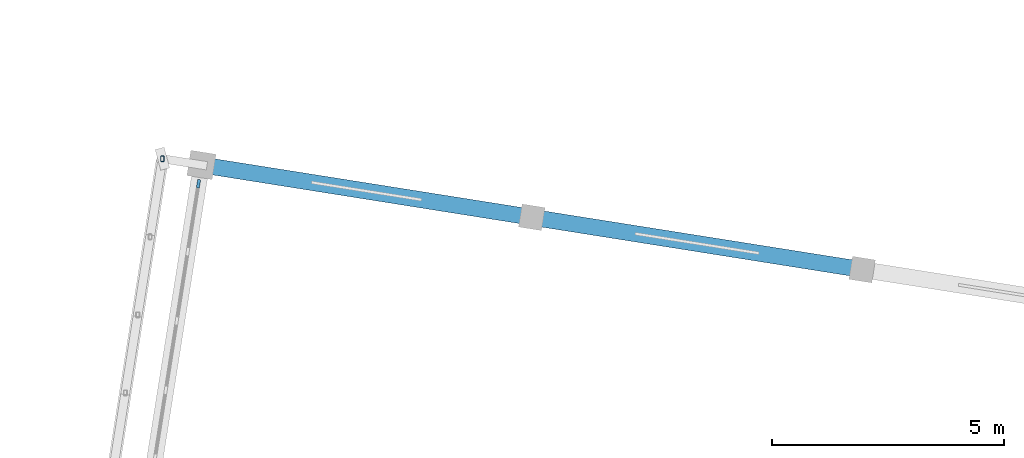
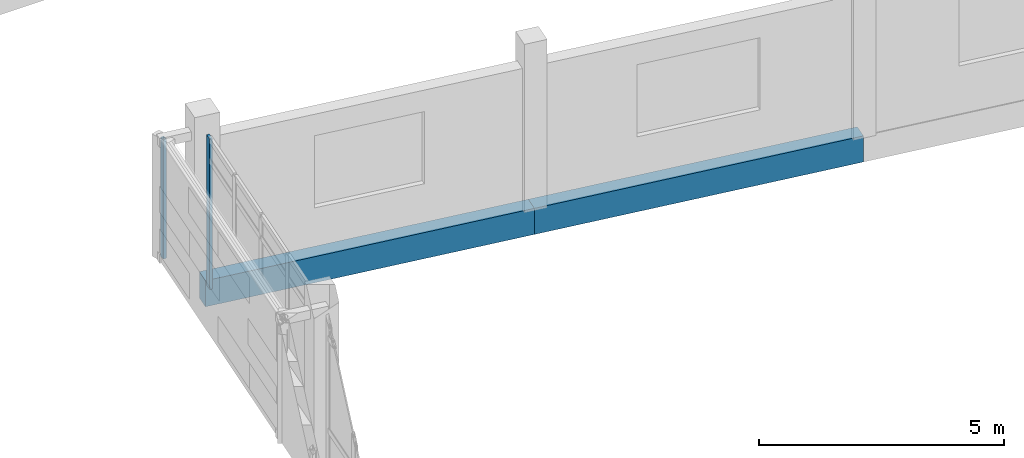
# One storey, part 60 of 137: 2 beams, 2 members, 1 element without a shape of its own.
"""IFC4 building model written with IfcOpenShell, lengths in metres."""

from ifc_helpers import new_model, si_unit, direction, frame, origin, origin_2d, place, context, subcontext, project, spatial, rectangle, hollow_rectangle, extrude, material, material_profile, profile_set, type_object, element, aggregate, save


model = new_model("IFC4")

# Units and contexts
model_context = context("Model", 3, precision=1e-05, world=origin(), true_north=direction((0.0, 1.0)))
body_context = subcontext(model_context, "Body", "Model", "MODEL_VIEW")
ifc_project = project(units=[si_unit("LENGTHUNIT", "METRE"), si_unit("AREAUNIT", "SQUARE_METRE"), si_unit("VOLUMEUNIT", "CUBIC_METRE"), si_unit("PLANEANGLEUNIT", "RADIAN"), si_unit("MASSUNIT", "GRAM", prefix="KILO")], contexts=[model_context])

# Site, building, storey
site_placement = place(None, origin())
site = spatial("IfcSite", under=ifc_project, at=site_placement, CompositionType="ELEMENT")
building_placement = place(site_placement, origin())
building = spatial("IfcBuilding", under=site, at=building_placement, Name="Cinderway Yard Community Centre", CompositionType="ELEMENT")
storey_placement = place(building_placement, frame((0.0, 0.0, 4.800048828125)))
storey = spatial("IfcBuildingStorey", under=building, at=storey_placement, Name="L01", CompositionType="ELEMENT", Elevation=4.800048828125)

# Curtain wall, member
ifc_material_1 = material(Name="Aluminium 6063-T6", Category="aluminium")
curtain_wall_type = type_object("IfcCurtainWallType", Name="ENV-CW-TYPE-14", PredefinedType="USERDEFINED", material=ifc_material_1)
curtain_wall_placement = place(storey_placement, origin())
curtain_wall = element("IfcCurtainWall", 1, at=curtain_wall_placement, inside=storey, type_object=curtain_wall_type, Name="Sports Hall Courtyard Curtain Wall ENV-CW-L01-HS-0056", ObjectType="GLAZED CURTAIN WALL", PredefinedType="USERDEFINED")
ifc_material_profile_1 = material_profile(ifc_material_1, rectangle(XDim=0.06494140625, YDim=0.179931640625, at=origin_2d()), Name="Aluminium 6063-T6")
ifc_profile_set_1 = profile_set([ifc_material_profile_1], Name="Aluminium 6063-T6")
member_type_1 = type_object("IfcMemberType", Name="ENV-CW-MULL-180", PredefinedType="MULLION", material=ifc_profile_set_1)
member_1_placement = place(storey_placement, frame((124.3193359375, 77.893310546875, 0.0), z_axis=(0.0, 0.0, 1.0), x_axis=(-0.987664799809, 0.156583023401, 0.0)))
member_1 = element("IfcMember", 2, at=member_1_placement, type_object=member_type_1, Name="CW-14 mullion 5", PredefinedType="MULLION", context=body_context, shape_type="SweptSolid", body=[
    extrude(rectangle(XDim=0.06494140625, YDim=0.179931640625, at=origin_2d()), origin(), (0.0, 0.0, 1.0), 3.75),
])
aggregate(curtain_wall, [member_1])

# Member
ifc_material_2 = material(Name="Steel S355", Category="steel")
ifc_material_profile_2 = material_profile(ifc_material_2, hollow_rectangle(XDim=0.080078125, YDim=0.1201171875, WallThickness=0.00634765625, InnerFilletRadius=0.00634765625, OuterFilletRadius=0.0126953125, at=origin_2d()), Name="Steel S355")
ifc_profile_set_2 = profile_set([ifc_material_profile_2], Name="Steel S355")
member_type_2 = type_object("IfcMemberType", Name="ENV-MEM-SCREEN-RAIL-120", PredefinedType="STRINGER", material=ifc_profile_set_2)
member_2_placement = place(storey_placement, frame((123.54296875, 78.430908203125, 0.68994140625), z_axis=(0.0, 0.0, 1.0), x_axis=(1.0, 0.0, 0.0)))
element("IfcMember", 3, at=member_2_placement, inside=storey, type_object=member_type_2, Name="Screen vertical mullion 1009", PredefinedType="STRINGER", context=body_context, shape_type="SweptSolid", body=[
    extrude(hollow_rectangle(XDim=0.080078125, YDim=0.1201171875, WallThickness=0.00634765625, InnerFilletRadius=0.00634765625, OuterFilletRadius=0.0126953125, at=origin_2d()), origin(), (0.0, 0.0, 1.0), 2.969970703125),
])

# Beams
ifc_material_3 = material(Name="Concrete C35/45", Category="concrete")
ifc_material_profile_3 = material_profile(ifc_material_3, rectangle(XDim=0.35009765625, YDim=0.64990234375, at=origin_2d()), Name="Concrete C35/45")
ifc_profile_set_3 = profile_set([ifc_material_profile_3], Name="Concrete C35/45")
beam_type = type_object("IfcBeamType", Name="STR-BM-RC350X650", PredefinedType="BEAM", material=ifc_profile_set_3)
for number, where, z_axis, x_axis, name in (
    (4, (124.383056640625, 78.298095703125, -0.324951171875), (0.98766792578, -0.156563304722, 0.0), (0.156563304722, 0.98766792578, 0.0), "Sports Hall north ring beam STR-BM-L01-BG08-0104"),
    (5, (131.493896484375, 77.1708984375, -0.324951171875), (0.987694960149, -0.156392665095, 0.0), (0.156392665095, 0.987694960149, 0.0), "Sports Hall north ring beam STR-BM-L01-BG08-0105"),
):
    element("IfcBeam", number, at=place(storey_placement, frame(where, z_axis=z_axis, x_axis=x_axis)), inside=storey, type_object=beam_type, Name=name, PredefinedType="BEAM", context=body_context, shape_type="SweptSolid", body=[
        extrude(rectangle(XDim=0.35009765625, YDim=0.64990234375, at=origin_2d()), origin(), (0.0, 0.0, 1.0), 7.19970703125),
    ])

save(model, "model.ifc")
